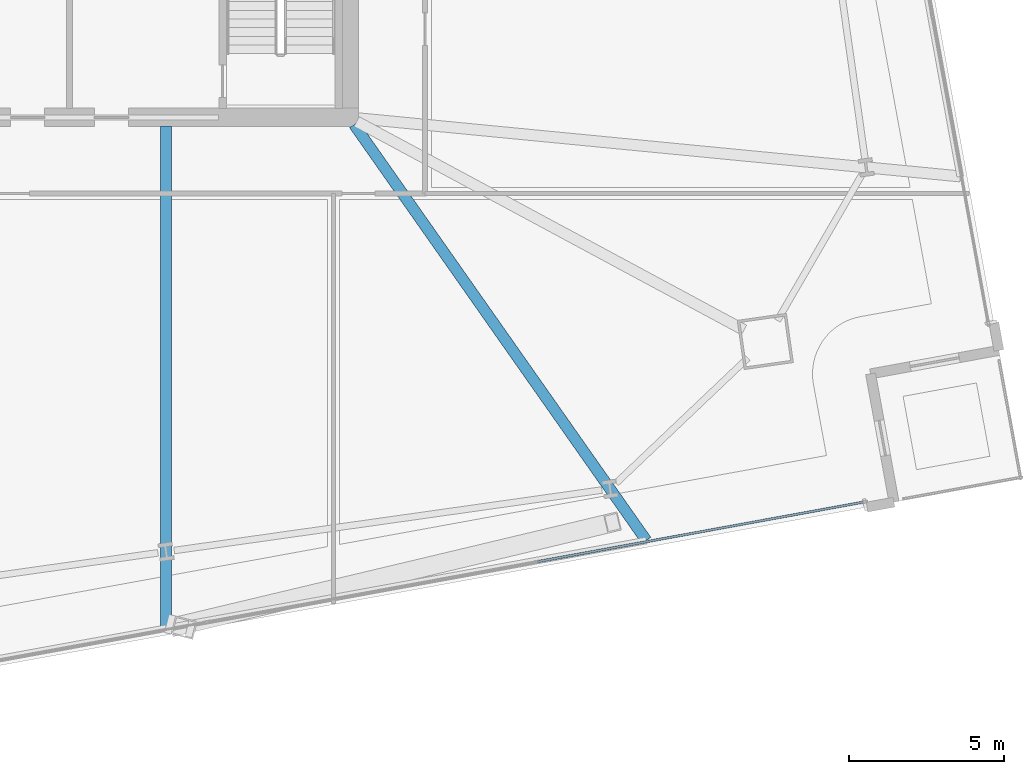
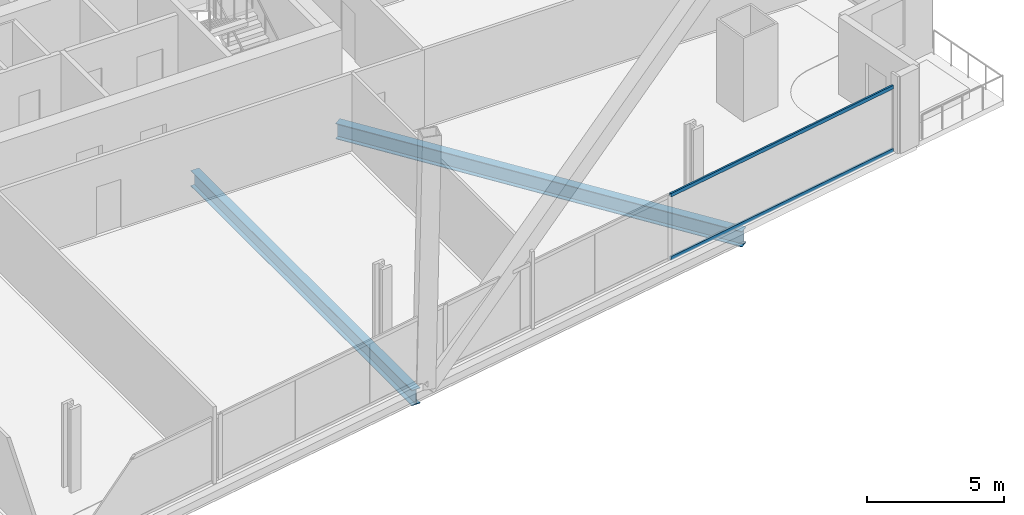
# One storey, part 10 of 34: 2 beams, 2 members, 1 element without a shape of its own.
"""IFC4 building model written with IfcOpenShell, lengths in metres."""

from ifc_helpers import new_model, si_unit, direction, frame, origin, origin_2d, place, context, subcontext, project, spatial, hollow_rectangle, i_section, extrude, material, material_profile, profile_set, type_object, element, aggregate, save


model = new_model("IFC4")

# Units and contexts
model_context = context("Model", 3, precision=1e-05, world=origin(), true_north=direction((0.0, 1.0)))
body_context = subcontext(model_context, "Body", "Model", "MODEL_VIEW")
ifc_project = project(units=[si_unit("LENGTHUNIT", "METRE"), si_unit("AREAUNIT", "SQUARE_METRE"), si_unit("VOLUMEUNIT", "CUBIC_METRE"), si_unit("PLANEANGLEUNIT", "RADIAN"), si_unit("MASSUNIT", "GRAM", prefix="KILO")], contexts=[model_context])

# Site, building, storey
site_placement = place(None, origin())
site = spatial("IfcSite", under=ifc_project, at=site_placement, CompositionType="ELEMENT")
building_placement = place(site_placement, origin())
building = spatial("IfcBuilding", under=site, at=building_placement, Name="Haldenkirk Collegiate Tower", CompositionType="ELEMENT")
storey_placement = place(building_placement, frame((0.0, 0.0, 62.699951171875)))
storey = spatial("IfcBuildingStorey", under=building, at=storey_placement, Name="L14", CompositionType="ELEMENT", Elevation=62.699951171875)

# Beams
ifc_material_1 = material(Name="Steel ASTM A992 Grade 50", Category="steel")
ifc_material_profile_1 = material_profile(ifc_material_1, i_section(OverallWidth=0.35498046875, OverallDepth=0.696044921875, WebThickness=0.015380859375, FlangeThickness=0.02490234375, at=origin_2d()), Name="W27X146")
ifc_profile_set_1 = profile_set([ifc_material_profile_1], Name="Steel ASTM A992 Grade 50")
beam_type = type_object("IfcBeamType", Name="BM-GIRDER-W27X146", PredefinedType="BEAM", material=ifc_profile_set_1)
beam_1_placement = place(storey_placement, frame((39.10888671875, 1.555908203125, -0.657958984375), z_axis=(0.0, 1.0, 0.0), x_axis=(-1.0, 0.0, 0.0)))
element("IfcBeam", 1, at=beam_1_placement, inside=storey, type_object=beam_type, Name="L14 primary floor girder 06", PredefinedType="BEAM", context=body_context, shape_type="SweptSolid", body=[
    extrude(i_section(OverallWidth=0.35498046875, OverallDepth=0.696044921875, WebThickness=0.015380859375, FlangeThickness=0.02490234375, at=origin_2d()), origin(), (0.0, 0.0, 1.0), 16.1640625),
])
beam_2_placement = place(storey_placement, frame((54.569580078125, 4.37939453125, -0.657958984375), z_axis=(-0.574879120507, 0.81823834963, 0.0), x_axis=(-0.81823834963, -0.574879120507, 0.0)))
element("IfcBeam", 2, at=beam_2_placement, inside=storey, type_object=beam_type, Name="L14 primary floor girder 07", PredefinedType="BEAM", context=body_context, shape_type="SweptSolid", body=[
    extrude(i_section(OverallWidth=0.35498046875, OverallDepth=0.696044921875, WebThickness=0.015380859375, FlangeThickness=0.02490234375, at=origin_2d()), origin(), (0.0, 0.0, 1.0), 16.366455078125),
])

# Curtain wall, members
ifc_material_2 = material(Name="Anodised architectural bronze aluminium", Category="aluminium")
curtain_wall_type = type_object("IfcCurtainWallType", Name="CW-SYS2-CONCAVE", PredefinedType="USERDEFINED", material=ifc_material_2)
curtain_wall_placement = place(storey_placement, origin())
curtain_wall = element("IfcCurtainWall", 3, at=curtain_wall_placement, inside=storey, type_object=curtain_wall_type, Name="L14 South concave recessed bronze-anodised curtain wall", ObjectType="UNITISED CURTAIN WALL", PredefinedType="USERDEFINED")
ifc_material_profile_2 = material_profile(ifc_material_2, hollow_rectangle(XDim=0.074951171875, YDim=0.159912109375, WallThickness=0.0048828125, at=origin_2d()), Name="CW-TRN-02")
ifc_profile_set_2 = profile_set([ifc_material_profile_2], Name="Anodised architectural bronze aluminium")
member_type = type_object("IfcMemberType", Name="CW-TRN-02", PredefinedType="USERDEFINED", material=ifc_profile_set_2)
member_1_placement = place(storey_placement, frame((61.55322265625, 5.6142578125, 0.03759765625), z_axis=(-0.983729658449, -0.179655111498, 0.0), x_axis=(0.179655111498, -0.983729658449, 0.0)))
member_1 = element("IfcMember", 4, at=member_1_placement, type_object=member_type, Name="CW-02 transom 1.1", ObjectType="TRANSOM", PredefinedType="USERDEFINED", context=body_context, shape_type="SweptSolid", body=[
    extrude(hollow_rectangle(XDim=0.074951171875, YDim=0.159912109375, WallThickness=0.0048828125, at=origin_2d()), origin(), (0.0, 0.0, 1.0), 10.662353515625),
])
member_2_placement = place(storey_placement, frame((61.55322265625, 5.6142578125, 2.853515625), z_axis=(-0.983729658449, -0.179655111498, 0.0), x_axis=(0.179655111498, -0.983729658449, 0.0)))
member_2 = element("IfcMember", 5, at=member_2_placement, type_object=member_type, Name="CW-02 transom 1.2", ObjectType="TRANSOM", PredefinedType="USERDEFINED", context=body_context, shape_type="SweptSolid", body=[
    extrude(hollow_rectangle(XDim=0.074951171875, YDim=0.159912109375, WallThickness=0.0048828125, at=origin_2d()), origin(), (0.0, 0.0, 1.0), 10.662353515625),
])
aggregate(curtain_wall, [member_1, member_2])

save(model, "model.ifc")
